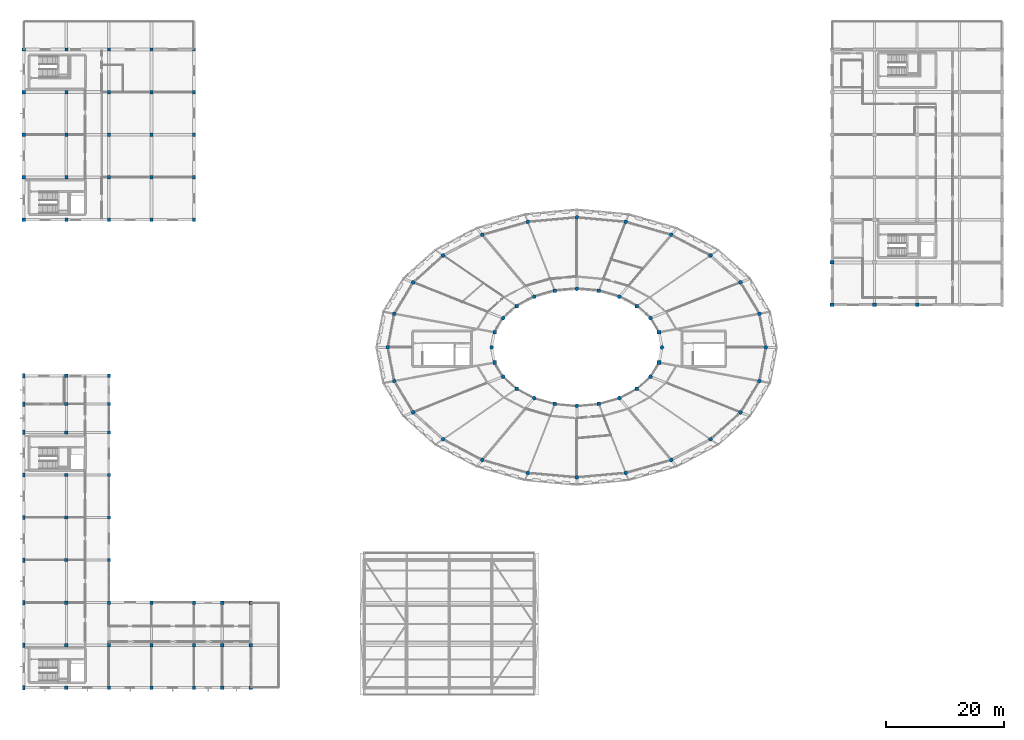
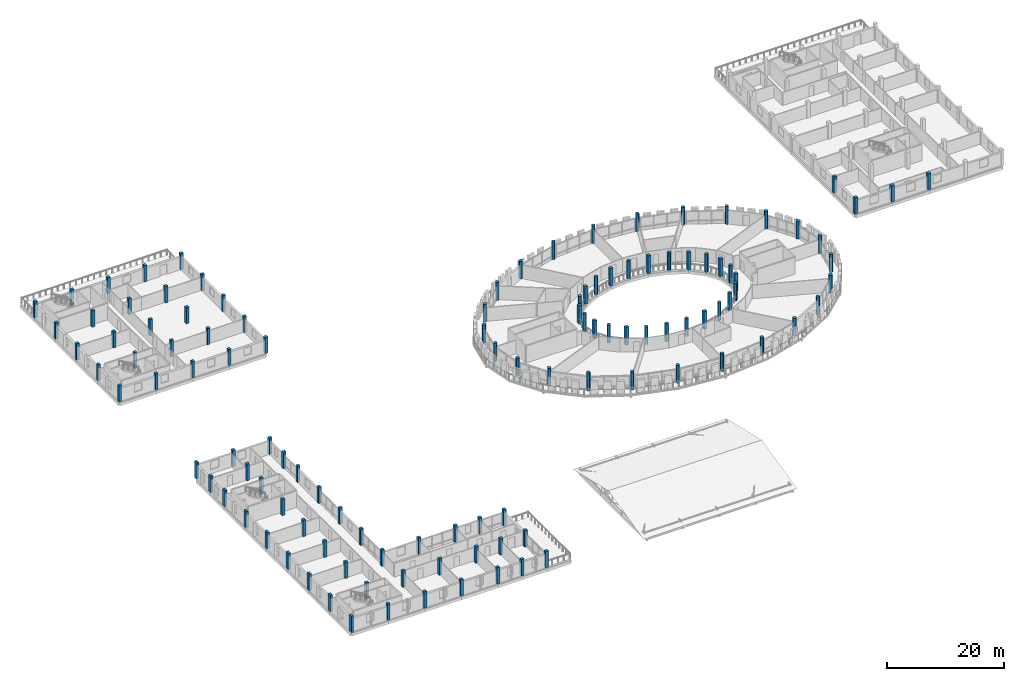
# One storey, part 1 of 84: 116 columns.
"""IFC4 building model written with IfcOpenShell, lengths in metres."""

from ifc_helpers import new_model, si_unit, direction, frame, origin, origin_2d, place, context, subcontext, project, spatial, rectangle, circle, extrude, material, material_profile, profile_set, type_object, element, save


model = new_model("IFC4")

# Units and contexts
model_context = context("Model", 3, precision=1e-05, world=origin(), true_north=direction((0.0, 1.0)))
body_context = subcontext(model_context, "Body", "Model", "MODEL_VIEW")
ifc_project = project(units=[si_unit("LENGTHUNIT", "METRE"), si_unit("AREAUNIT", "SQUARE_METRE"), si_unit("VOLUMEUNIT", "CUBIC_METRE"), si_unit("PLANEANGLEUNIT", "RADIAN"), si_unit("MASSUNIT", "GRAM", prefix="KILO")], contexts=[model_context])

# Site, building, storey
site_placement = place(None, origin())
site = spatial("IfcSite", under=ifc_project, at=site_placement, CompositionType="ELEMENT")
building_placement = place(site_placement, origin())
building = spatial("IfcBuilding", under=site, at=building_placement, Name="Zornivar Specialist Clinic", CompositionType="ELEMENT")
storey_placement = place(building_placement, frame((0.0, 0.0, 12.300048828125)))
storey = spatial("IfcBuildingStorey", under=building, at=storey_placement, Name="L03", CompositionType="ELEMENT", Elevation=12.300048828125)

# Columns
ifc_material_1 = material(Name="Concrete C35/45", Category="concrete")
ifc_material_profile_1 = material_profile(ifc_material_1, rectangle(XDim=0.449951171875, YDim=0.75, at=origin_2d()), Name="RC 450x750")
ifc_profile_set_1 = profile_set([ifc_material_profile_1], Name="Concrete C35/45")
column_type_1 = type_object("IfcColumnType", Name="COL-RC-450x750", PredefinedType="PILASTER", material=ifc_profile_set_1)
for number, where, z_axis, x_axis, name in (
    (1, (0.0, 0.0, 0.0), (0.0, 0.0, 1.0), (1.0, 0.0, 0.0), "col:V2:L03:0_0"),
    (2, (0.0, 7.199951171875, 0.0), (0.0, 0.0, 1.0), (1.0, 0.0, 0.0), "col:V2:L03:0_72"),
    (3, (0.0, 14.39990234375, 0.0), (0.0, 0.0, 1.0), (1.0, 0.0, 0.0), "col:V2:L03:0_144"),
    (4, (0.0, 21.60009765625, 0.0), (0.0, 0.0, 1.0), (1.0, 0.0, 0.0), "col:V2:L03:0_216"),
    (5, (0.0, 28.800048828125, 0.0), (0.0, 0.0, 1.0), (1.0, 0.0, 0.0), "col:V2:L03:0_288"),
    (6, (0.0, 36.0, 0.0), (0.0, 0.0, 1.0), (1.0, 0.0, 0.0), "col:V2:L03:0_360"),
    (7, (0.0, 43.199951171875, 0.0), (0.0, 0.0, 1.0), (1.0, 0.0, 0.0), "col:V2:L03:0_432"),
    (8, (0.0, 48.0, 0.0), (0.0, 0.0, 1.0), (1.0, 0.0, 0.0), "col:V2:L03:0_480"),
    (9, (0.0, 52.800048828125, 0.0), (0.0, 0.0, 1.0), (1.0, 0.0, 0.0), "col:V2:L03:0_528"),
):
    element("IfcColumn", number, at=place(storey_placement, frame(where, z_axis=z_axis, x_axis=x_axis)), inside=storey, type_object=column_type_1, Name=name, PredefinedType="PILASTER", context=body_context, shape_type="SweptSolid", body=[
        extrude(rectangle(XDim=0.449951171875, YDim=0.75, at=origin_2d()), origin(), (0.0, 0.0, 1.0), 3.419921875),
    ])
ifc_material_2 = material(Name="Concrete C35/45", Category="concrete")
ifc_material_profile_2 = material_profile(ifc_material_2, rectangle(XDim=0.5400390625, YDim=0.5400390625, at=origin_2d()), Name="RC 540x540")
ifc_profile_set_2 = profile_set([ifc_material_profile_2], Name="Concrete C35/45")
column_type_2 = type_object("IfcColumnType", Name="COL-RC-540", PredefinedType="COLUMN", material=ifc_profile_set_2)
for number, where, z_axis, x_axis, name in (
    (10, (0.0, 79.199951171875, 0.0), (0.0, 0.0, 1.0), (1.0, 0.0, 0.0), "col:V5:L03:0_792"),
    (11, (0.0, 86.39990234375, 0.0), (0.0, 0.0, 1.0), (1.0, 0.0, 0.0), "col:V5:L03:0_864"),
    (12, (0.0, 93.60009765625, 0.0), (0.0, 0.0, 1.0), (1.0, 0.0, 0.0), "col:V5:L03:0_936"),
    (13, (0.0, 100.800048828125, 0.0), (0.0, 0.0, 1.0), (1.0, 0.0, 0.0), "col:V5:L03:0_1008"),
    (14, (0.0, 108.0, 0.0), (0.0, 0.0, 1.0), (1.0, 0.0, 0.0), "col:V5:L03:0_1080"),
    (15, (7.199951171875, 79.199951171875, 0.0), (0.0, 0.0, 1.0), (1.0, 0.0, 0.0), "col:V5:L03:72_792"),
    (16, (7.199951171875, 86.39990234375, 0.0), (0.0, 0.0, 1.0), (1.0, 0.0, 0.0), "col:V5:L03:72_864"),
    (17, (7.199951171875, 93.60009765625, 0.0), (0.0, 0.0, 1.0), (1.0, 0.0, 0.0), "col:V5:L03:72_936"),
    (18, (7.199951171875, 100.800048828125, 0.0), (0.0, 0.0, 1.0), (1.0, 0.0, 0.0), "col:V5:L03:72_1008"),
    (19, (7.199951171875, 108.0, 0.0), (0.0, 0.0, 1.0), (1.0, 0.0, 0.0), "col:V5:L03:72_1080"),
    (20, (14.39990234375, 79.199951171875, 0.0), (0.0, 0.0, 1.0), (1.0, 0.0, 0.0), "col:V5:L03:144_792"),
    (21, (14.39990234375, 86.39990234375, 0.0), (0.0, 0.0, 1.0), (1.0, 0.0, 0.0), "col:V5:L03:144_864"),
    (22, (14.39990234375, 93.60009765625, 0.0), (0.0, 0.0, 1.0), (1.0, 0.0, 0.0), "col:V5:L03:144_936"),
    (23, (14.39990234375, 100.800048828125, 0.0), (0.0, 0.0, 1.0), (1.0, 0.0, 0.0), "col:V5:L03:144_1008"),
    (24, (14.39990234375, 108.0, 0.0), (0.0, 0.0, 1.0), (1.0, 0.0, 0.0), "col:V5:L03:144_1080"),
    (25, (21.60009765625, 79.199951171875, 0.0), (0.0, 0.0, 1.0), (1.0, 0.0, 0.0), "col:V5:L03:216_792"),
    (26, (21.60009765625, 86.39990234375, 0.0), (0.0, 0.0, 1.0), (1.0, 0.0, 0.0), "col:V5:L03:216_864"),
    (27, (21.60009765625, 93.60009765625, 0.0), (0.0, 0.0, 1.0), (1.0, 0.0, 0.0), "col:V5:L03:216_936"),
    (28, (21.60009765625, 100.800048828125, 0.0), (0.0, 0.0, 1.0), (1.0, 0.0, 0.0), "col:V5:L03:216_1008"),
    (29, (21.60009765625, 108.0, 0.0), (0.0, 0.0, 1.0), (1.0, 0.0, 0.0), "col:V5:L03:216_1080"),
    (30, (28.800048828125, 79.199951171875, 0.0), (0.0, 0.0, 1.0), (1.0, 0.0, 0.0), "col:V5:L03:288_792"),
    (31, (28.800048828125, 86.39990234375, 0.0), (0.0, 0.0, 1.0), (1.0, 0.0, 0.0), "col:V5:L03:288_864"),
    (32, (28.800048828125, 93.60009765625, 0.0), (0.0, 0.0, 1.0), (1.0, 0.0, 0.0), "col:V5:L03:288_936"),
    (33, (28.800048828125, 100.800048828125, 0.0), (0.0, 0.0, 1.0), (1.0, 0.0, 0.0), "col:V5:L03:288_1008"),
    (34, (28.800048828125, 108.0, 0.0), (0.0, 0.0, 1.0), (1.0, 0.0, 0.0), "col:V5:L03:288_1080"),
):
    element("IfcColumn", number, at=place(storey_placement, frame(where, z_axis=z_axis, x_axis=x_axis)), inside=storey, type_object=column_type_2, Name=name, PredefinedType="COLUMN", context=body_context, shape_type="SweptSolid", body=[
        extrude(rectangle(XDim=0.5400390625, YDim=0.5400390625, at=origin_2d()), origin(), (0.0, 0.0, 1.0), 3.389892578125),
    ])
ifc_material_3 = material(Name="Concrete C35/45", Category="concrete")
ifc_material_profile_3 = material_profile(ifc_material_3, rectangle(XDim=0.56005859375, YDim=0.56005859375, at=origin_2d()), Name="RC 560x560")
ifc_profile_set_3 = profile_set([ifc_material_profile_3], Name="Concrete C35/45")
column_type_3 = type_object("IfcColumnType", Name="COL-RC-560", PredefinedType="COLUMN", material=ifc_profile_set_3)
for number, where, z_axis, x_axis, name in (
    (35, (7.199951171875, 0.0, 0.0), (0.0, 0.0, 1.0), (1.0, 0.0, 0.0), "col:V2:L03:72_0"),
    (36, (7.199951171875, 7.199951171875, 0.0), (0.0, 0.0, 1.0), (1.0, 0.0, 0.0), "col:V2:L03:72_72"),
    (37, (7.199951171875, 14.39990234375, 0.0), (0.0, 0.0, 1.0), (1.0, 0.0, 0.0), "col:V2:L03:72_144"),
    (38, (7.199951171875, 21.60009765625, 0.0), (0.0, 0.0, 1.0), (1.0, 0.0, 0.0), "col:V2:L03:72_216"),
    (39, (7.199951171875, 28.800048828125, 0.0), (0.0, 0.0, 1.0), (1.0, 0.0, 0.0), "col:V2:L03:72_288"),
    (40, (7.199951171875, 36.0, 0.0), (0.0, 0.0, 1.0), (1.0, 0.0, 0.0), "col:V2:L03:72_360"),
    (41, (7.199951171875, 43.199951171875, 0.0), (0.0, 0.0, 1.0), (1.0, 0.0, 0.0), "col:V2:L03:72_432"),
    (42, (7.199951171875, 48.0, 0.0), (0.0, 0.0, 1.0), (1.0, 0.0, 0.0), "col:V2:L03:72_480"),
    (43, (7.199951171875, 52.800048828125, 0.0), (0.0, 0.0, 1.0), (1.0, 0.0, 0.0), "col:V2:L03:72_528"),
    (44, (14.39990234375, 0.0, 0.0), (0.0, 0.0, 1.0), (1.0, 0.0, 0.0), "col:V2:L03:144_0"),
    (45, (14.39990234375, 7.199951171875, 0.0), (0.0, 0.0, 1.0), (1.0, 0.0, 0.0), "col:V2:L03:144_72"),
    (46, (14.39990234375, 14.39990234375, 0.0), (0.0, 0.0, 1.0), (1.0, 0.0, 0.0), "col:V2:L03:144_144"),
    (47, (14.39990234375, 21.60009765625, 0.0), (0.0, 0.0, 1.0), (1.0, 0.0, 0.0), "col:V2:L03:144_216"),
    (48, (14.39990234375, 28.800048828125, 0.0), (0.0, 0.0, 1.0), (1.0, 0.0, 0.0), "col:V2:L03:144_288"),
    (49, (14.39990234375, 36.0, 0.0), (0.0, 0.0, 1.0), (1.0, 0.0, 0.0), "col:V2:L03:144_360"),
    (50, (14.39990234375, 43.199951171875, 0.0), (0.0, 0.0, 1.0), (1.0, 0.0, 0.0), "col:V2:L03:144_432"),
    (51, (14.39990234375, 48.0, 0.0), (0.0, 0.0, 1.0), (1.0, 0.0, 0.0), "col:V2:L03:144_480"),
    (52, (14.39990234375, 52.800048828125, 0.0), (0.0, 0.0, 1.0), (1.0, 0.0, 0.0), "col:V2:L03:144_528"),
    (53, (21.60009765625, 0.0, 0.0), (0.0, 0.0, 1.0), (1.0, 0.0, 0.0), "col:V2:L03:216_0"),
    (54, (21.60009765625, 7.199951171875, 0.0), (0.0, 0.0, 1.0), (1.0, 0.0, 0.0), "col:V2:L03:216_72"),
    (55, (21.60009765625, 14.39990234375, 0.0), (0.0, 0.0, 1.0), (1.0, 0.0, 0.0), "col:V2:L03:216_144"),
    (56, (28.800048828125, 0.0, 0.0), (0.0, 0.0, 1.0), (1.0, 0.0, 0.0), "col:V2:L03:288_0"),
    (57, (28.800048828125, 7.199951171875, 0.0), (0.0, 0.0, 1.0), (1.0, 0.0, 0.0), "col:V2:L03:288_72"),
    (58, (28.800048828125, 14.39990234375, 0.0), (0.0, 0.0, 1.0), (1.0, 0.0, 0.0), "col:V2:L03:288_144"),
    (59, (33.60009765625, 0.0, 0.0), (0.0, 0.0, 1.0), (1.0, 0.0, 0.0), "col:V2:L03:336_0"),
    (60, (33.60009765625, 7.199951171875, 0.0), (0.0, 0.0, 1.0), (1.0, 0.0, 0.0), "col:V2:L03:336_72"),
    (61, (33.60009765625, 14.39990234375, 0.0), (0.0, 0.0, 1.0), (1.0, 0.0, 0.0), "col:V2:L03:336_144"),
    (62, (38.39990234375, 0.0, 0.0), (0.0, 0.0, 1.0), (1.0, 0.0, 0.0), "col:V2:L03:384_0"),
    (63, (38.39990234375, 7.199951171875, 0.0), (0.0, 0.0, 1.0), (1.0, 0.0, 0.0), "col:V2:L03:384_72"),
    (64, (38.39990234375, 14.39990234375, 0.0), (0.0, 0.0, 1.0), (1.0, 0.0, 0.0), "col:V2:L03:384_144"),
):
    element("IfcColumn", number, at=place(storey_placement, frame(where, z_axis=z_axis, x_axis=x_axis)), inside=storey, type_object=column_type_3, Name=name, PredefinedType="COLUMN", context=body_context, shape_type="SweptSolid", body=[
        extrude(rectangle(XDim=0.56005859375, YDim=0.56005859375, at=origin_2d()), origin(), (0.0, 0.0, 1.0), 3.419921875),
    ])
ifc_material_4 = material(Name="Concrete C35/45", Category="concrete")
ifc_material_profile_4 = material_profile(ifc_material_4, rectangle(XDim=0.60009765625, YDim=0.60009765625, at=origin_2d()), Name="RC 600x600")
ifc_profile_set_4 = profile_set([ifc_material_profile_4], Name="Concrete C35/45")
column_type_4 = type_object("IfcColumnType", Name="COL-RC-600", PredefinedType="COLUMN", material=ifc_profile_set_4)
for number, where, z_axis, x_axis, name in (
    (65, (107.509033203125, 60.162109375, 0.0), (0.0, 0.0, 1.0), (1.0, 0.0, 0.0), "col:V1:L03:in:01"),
    (66, (103.781982421875, 64.60009765625, 0.0), (0.0, 0.0, 1.0), (1.0, 0.0, 0.0), "col:V1:L03:in:03"),
    (67, (97.326904296875, 67.1630859375, 0.0), (0.0, 0.0, 1.0), (1.0, 0.0, 0.0), "col:V1:L03:in:05"),
    (68, (89.873046875, 67.1630859375, 0.0), (0.0, 0.0, 1.0), (1.0, 0.0, 0.0), "col:V1:L03:in:07"),
    (69, (83.41796875, 64.60009765625, 0.0), (0.0, 0.0, 1.0), (1.0, 0.0, 0.0), "col:V1:L03:in:09"),
    (70, (79.69091796875, 60.162109375, 0.0), (0.0, 0.0, 1.0), (1.0, 0.0, 0.0), "col:V1:L03:in:11"),
    (71, (79.69091796875, 55.0380859375, 0.0), (0.0, 0.0, 1.0), (1.0, 0.0, 0.0), "col:V1:L03:in:13"),
    (72, (83.41796875, 50.60009765625, 0.0), (0.0, 0.0, 1.0), (1.0, 0.0, 0.0), "col:V1:L03:in:15"),
    (73, (89.873046875, 48.037109375, 0.0), (0.0, 0.0, 1.0), (1.0, 0.0, 0.0), "col:V1:L03:in:17"),
    (74, (97.326904296875, 48.037109375, 0.0), (0.0, 0.0, 1.0), (1.0, 0.0, 0.0), "col:V1:L03:in:19"),
    (75, (103.781982421875, 50.60009765625, 0.0), (0.0, 0.0, 1.0), (1.0, 0.0, 0.0), "col:V1:L03:in:21"),
    (76, (107.509033203125, 55.0380859375, 0.0), (0.0, 0.0, 1.0), (1.0, 0.0, 0.0), "col:V1:L03:in:23"),
):
    element("IfcColumn", number, at=place(storey_placement, frame(where, z_axis=z_axis, x_axis=x_axis)), inside=storey, type_object=column_type_4, Name=name, PredefinedType="COLUMN", context=body_context, shape_type="SweptSolid", body=[
        extrude(rectangle(XDim=0.60009765625, YDim=0.60009765625, at=origin_2d()), origin(), (0.0, 0.0, 1.0), 3.699951171875),
    ])
ifc_material_5 = material(Name="Concrete C35/45", Category="concrete")
ifc_material_profile_5 = material_profile(ifc_material_5, rectangle(XDim=0.6201171875, YDim=0.6201171875, at=origin_2d()), Name="RC 620x620")
ifc_profile_set_5 = profile_set([ifc_material_profile_5], Name="Concrete C35/45")
column_type_5 = type_object("IfcColumnType", Name="COL-RC-620", PredefinedType="COLUMN", material=ifc_profile_set_5)
for number, where, z_axis, x_axis, name in (
    (77, (136.800048828125, 64.800048828125, 0.0), (0.0, 0.0, 1.0), (1.0, 0.0, 0.0), "col:V6:L03:1368_648"),
    (78, (136.800048828125, 72.0, 0.0), (0.0, 0.0, 1.0), (1.0, 0.0, 0.0), "col:V6:L03:1368_720"),
    (79, (144.0, 64.800048828125, 0.0), (0.0, 0.0, 1.0), (1.0, 0.0, 0.0), "col:V6:L03:1440_648"),
    (80, (151.199951171875, 64.800048828125, 0.0), (0.0, 0.0, 1.0), (1.0, 0.0, 0.0), "col:V6:L03:1512_648"),
):
    element("IfcColumn", number, at=place(storey_placement, frame(where, z_axis=z_axis, x_axis=x_axis)), inside=storey, type_object=column_type_5, Name=name, PredefinedType="COLUMN", context=body_context, shape_type="SweptSolid", body=[
        extrude(rectangle(XDim=0.6201171875, YDim=0.6201171875, at=origin_2d()), origin(), (0.0, 0.0, 1.0), 3.3798828125),
    ])
ifc_material_6 = material(Name="Concrete C35/45", Category="concrete")
ifc_material_profile_6 = material_profile(ifc_material_6, circle(Radius=0.324951171875, at=origin_2d()), Name="RC D650")
ifc_profile_set_6 = profile_set([ifc_material_profile_6], Name="Concrete C35/45")
column_type_6 = type_object("IfcColumnType", Name="COL-RC-D650", PredefinedType="COLUMN", material=ifc_profile_set_6)
for number, where, z_axis, x_axis, name in (
    (81, (125.60009765625, 57.60009765625, 0.0), (0.0, 0.0, 1.0), (1.0, 0.0, 0.0), "col:V1:L03:out:00"),
    (82, (108.0, 57.60009765625, 0.0), (0.0, 0.0, 1.0), (1.0, 0.0, 0.0), "col:V1:L03:in:00"),
    (83, (124.510009765625, 63.2939453125, 0.0), (0.0, 0.0, 1.0), (1.0, 0.0, 0.0), "col:V1:L03:out:01"),
    (84, (121.31298828125, 68.60009765625, 0.0), (0.0, 0.0, 1.0), (1.0, 0.0, 0.0), "col:V1:L03:out:02"),
    (85, (106.071044921875, 62.550048828125, 0.0), (0.0, 0.0, 1.0), (1.0, 0.0, 0.0), "col:V1:L03:in:02"),
    (86, (116.22705078125, 73.156005859375, 0.0), (0.0, 0.0, 1.0), (1.0, 0.0, 0.0), "col:V1:L03:out:03"),
    (87, (109.60009765625, 76.653076171875, 0.0), (0.0, 0.0, 1.0), (1.0, 0.0, 0.0), "col:V1:L03:out:04"),
    (88, (100.800048828125, 66.174072265625, 0.0), (0.0, 0.0, 1.0), (1.0, 0.0, 0.0), "col:V1:L03:in:04"),
    (89, (101.882080078125, 78.85009765625, 0.0), (0.0, 0.0, 1.0), (1.0, 0.0, 0.0), "col:V1:L03:out:05"),
    (90, (93.60009765625, 79.60009765625, 0.0), (0.0, 0.0, 1.0), (1.0, 0.0, 0.0), "col:V1:L03:out:06"),
    (91, (93.60009765625, 67.5, 0.0), (0.0, 0.0, 1.0), (1.0, 0.0, 0.0), "col:V1:L03:in:06"),
    (92, (85.318115234375, 78.85009765625, 0.0), (0.0, 0.0, 1.0), (1.0, 0.0, 0.0), "col:V1:L03:out:07"),
    (93, (77.60009765625, 76.653076171875, 0.0), (0.0, 0.0, 1.0), (1.0, 0.0, 0.0), "col:V1:L03:out:08"),
    (94, (86.39990234375, 66.174072265625, 0.0), (0.0, 0.0, 1.0), (1.0, 0.0, 0.0), "col:V1:L03:in:08"),
    (95, (70.972900390625, 73.156005859375, 0.0), (0.0, 0.0, 1.0), (1.0, 0.0, 0.0), "col:V1:L03:out:09"),
    (96, (65.886962890625, 68.60009765625, 0.0), (0.0, 0.0, 1.0), (1.0, 0.0, 0.0), "col:V1:L03:out:10"),
    (97, (81.12890625, 62.550048828125, 0.0), (0.0, 0.0, 1.0), (1.0, 0.0, 0.0), "col:V1:L03:in:10"),
    (98, (62.68994140625, 63.2939453125, 0.0), (0.0, 0.0, 1.0), (1.0, 0.0, 0.0), "col:V1:L03:out:11"),
    (99, (61.60009765625, 57.60009765625, 0.0), (0.0, 0.0, 1.0), (1.0, 0.0, 0.0), "col:V1:L03:out:12"),
    (100, (79.199951171875, 57.60009765625, 0.0), (0.0, 0.0, 1.0), (1.0, 0.0, 0.0), "col:V1:L03:in:12"),
    (101, (62.68994140625, 51.906005859375, 0.0), (0.0, 0.0, 1.0), (1.0, 0.0, 0.0), "col:V1:L03:out:13"),
    (102, (65.886962890625, 46.60009765625, 0.0), (0.0, 0.0, 1.0), (1.0, 0.0, 0.0), "col:V1:L03:out:14"),
    (103, (81.12890625, 52.64990234375, 0.0), (0.0, 0.0, 1.0), (1.0, 0.0, 0.0), "col:V1:L03:in:14"),
    (104, (70.972900390625, 42.0439453125, 0.0), (0.0, 0.0, 1.0), (1.0, 0.0, 0.0), "col:V1:L03:out:15"),
    (105, (77.60009765625, 38.547119140625, 0.0), (0.0, 0.0, 1.0), (1.0, 0.0, 0.0), "col:V1:L03:out:16"),
    (106, (86.39990234375, 49.02587890625, 0.0), (0.0, 0.0, 1.0), (1.0, 0.0, 0.0), "col:V1:L03:in:16"),
    (107, (85.318115234375, 36.35009765625, 0.0), (0.0, 0.0, 1.0), (1.0, 0.0, 0.0), "col:V1:L03:out:17"),
    (108, (93.60009765625, 35.60009765625, 0.0), (0.0, 0.0, 1.0), (1.0, 0.0, 0.0), "col:V1:L03:out:18"),
    (109, (93.60009765625, 47.699951171875, 0.0), (0.0, 0.0, 1.0), (1.0, 0.0, 0.0), "col:V1:L03:in:18"),
    (110, (101.882080078125, 36.35009765625, 0.0), (0.0, 0.0, 1.0), (1.0, 0.0, 0.0), "col:V1:L03:out:19"),
    (111, (109.60009765625, 38.547119140625, 0.0), (0.0, 0.0, 1.0), (1.0, 0.0, 0.0), "col:V1:L03:out:20"),
    (112, (100.800048828125, 49.02587890625, 0.0), (0.0, 0.0, 1.0), (1.0, 0.0, 0.0), "col:V1:L03:in:20"),
    (113, (116.22705078125, 42.0439453125, 0.0), (0.0, 0.0, 1.0), (1.0, 0.0, 0.0), "col:V1:L03:out:21"),
    (114, (121.31298828125, 46.60009765625, 0.0), (0.0, 0.0, 1.0), (1.0, 0.0, 0.0), "col:V1:L03:out:22"),
    (115, (106.071044921875, 52.64990234375, 0.0), (0.0, 0.0, 1.0), (1.0, 0.0, 0.0), "col:V1:L03:in:22"),
    (116, (124.510009765625, 51.906005859375, 0.0), (0.0, 0.0, 1.0), (1.0, 0.0, 0.0), "col:V1:L03:out:23"),
):
    element("IfcColumn", number, at=place(storey_placement, frame(where, z_axis=z_axis, x_axis=x_axis)), inside=storey, type_object=column_type_6, Name=name, PredefinedType="COLUMN", context=body_context, shape_type="SweptSolid", body=[
        extrude(circle(Radius=0.324951171875, at=origin_2d()), origin(), (0.0, 0.0, 1.0), 3.699951171875),
    ])

save(model, "model.ifc")
